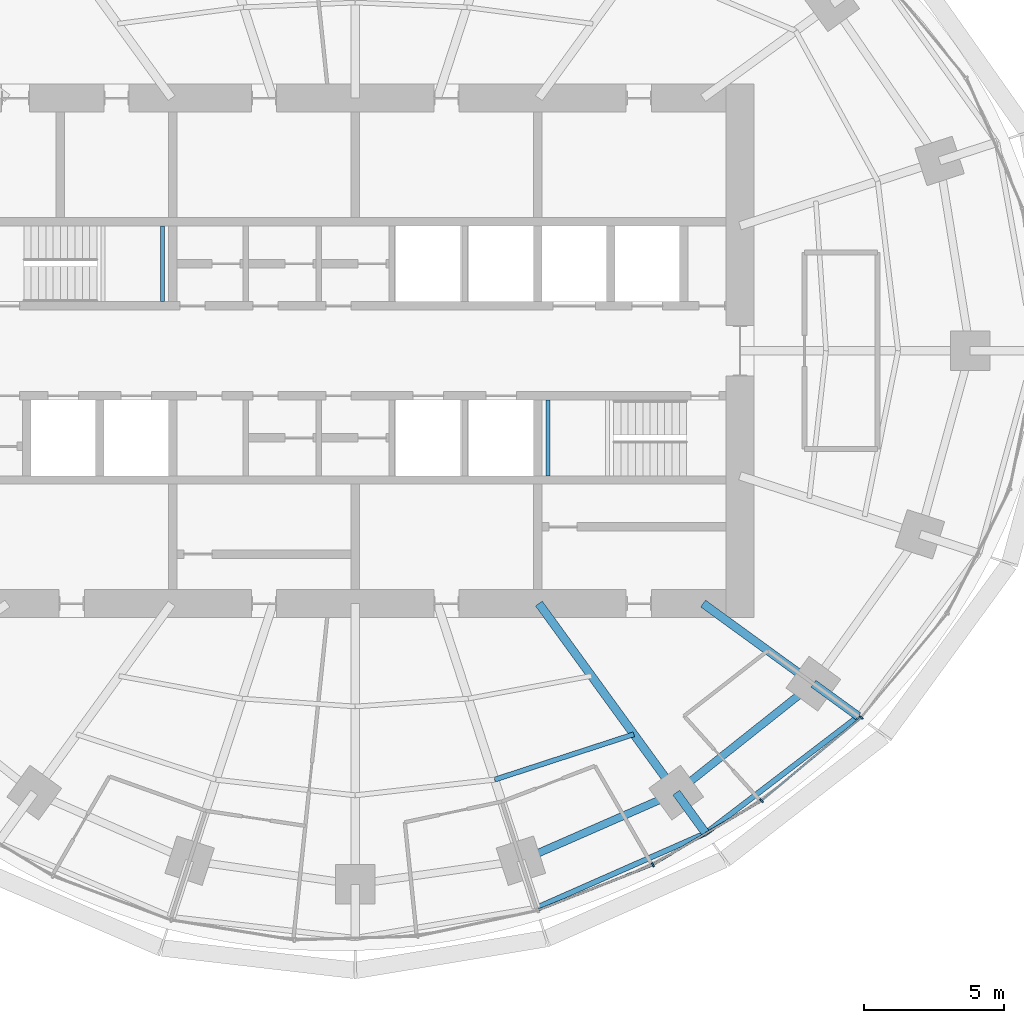
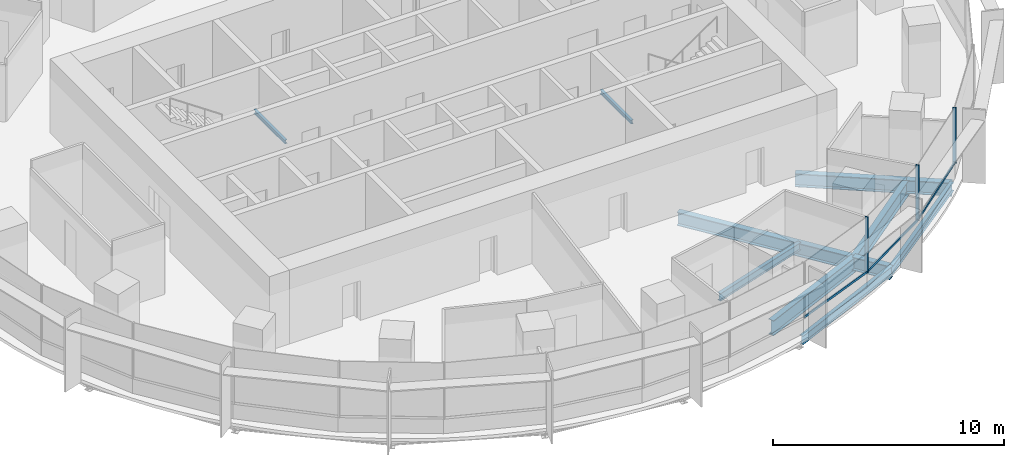
# One storey, part 5 of 15: 11 beams, 6 members, 2 elements without a shape of their own.
"""IFC4 building model written with IfcOpenShell, lengths in metres."""

from ifc_helpers import new_model, si_unit, direction, frame, origin, origin_2d, place, context, subcontext, project, spatial, rectangle, i_section, extrude, material, material_profile, profile_set, type_object, element, aggregate, save


model = new_model("IFC4")

# Units and contexts
model_context = context("Model", 3, precision=1e-05, world=origin(), true_north=direction((0.0, 1.0)))
body_context = subcontext(model_context, "Body", "Model", "MODEL_VIEW")
ifc_project = project(units=[si_unit("LENGTHUNIT", "METRE"), si_unit("AREAUNIT", "SQUARE_METRE"), si_unit("VOLUMEUNIT", "CUBIC_METRE"), si_unit("PLANEANGLEUNIT", "RADIAN"), si_unit("MASSUNIT", "GRAM", prefix="KILO")], contexts=[model_context])

# Site, building, storey
site_placement = place(None, origin())
site = spatial("IfcSite", under=ifc_project, at=site_placement, CompositionType="ELEMENT")
building_placement = place(site_placement, origin())
building = spatial("IfcBuilding", under=site, at=building_placement, Name="Marramba Exchange Tower", CompositionType="ELEMENT")
storey_placement = place(building_placement, frame((0.0, 0.0, 187.699951171875)))
storey = spatial("IfcBuildingStorey", under=building, at=storey_placement, Name="L45", CompositionType="ELEMENT", Elevation=187.699951171875)

# Beams
ifc_material_1 = material(Name="Steel AS/NZS 3679.2 grade 300", Category="steel")
ifc_material_profile_1 = material_profile(ifc_material_1, i_section(OverallWidth=0.300048828125, OverallDepth=0.699951171875, WebThickness=0.010009765625, FlangeThickness=0.031982421875, at=origin_2d()), Name="700WB173")
ifc_profile_set_1 = profile_set([ifc_material_profile_1], Name="Steel AS/NZS 3679.2 grade 300")
beam_type_1 = type_object("IfcBeamType", Name="Cantilever girder 700WB173", PredefinedType="BEAM", material=ifc_profile_set_1)
beam_1_placement = place(storey_placement, frame((11.430419921875, -15.732666015625, -0.510009765625), z_axis=(0.58783009415, -0.808984412959, 0.0), x_axis=(0.808984412959, 0.58783009415, 0.0)))
element("IfcBeam", 1, at=beam_1_placement, inside=storey, type_object=beam_type_1, Name="Cantilever girder L45 TC18", PredefinedType="BEAM", context=body_context, shape_type="SweptSolid", body=[
    extrude(i_section(OverallWidth=0.300048828125, OverallDepth=0.699951171875, WebThickness=0.010009765625, FlangeThickness=0.031982421875, at=origin_2d()), origin(), (0.0, 0.0, 1.0), 1.78515625),
])
beam_2_placement = place(storey_placement, frame((16.3154296875, -11.853759765625, -0.510009765625), z_axis=(0.808970801893, -0.587848825537, 0.0), x_axis=(0.587848825537, 0.808970801893, 0.0)))
element("IfcBeam", 2, at=beam_2_placement, inside=storey, type_object=beam_type_1, Name="Cantilever girder L45 TC19", PredefinedType="BEAM", context=body_context, shape_type="SweptSolid", body=[
    extrude(i_section(OverallWidth=0.300048828125, OverallDepth=0.699951171875, WebThickness=0.010009765625, FlangeThickness=0.031982421875, at=origin_2d()), origin(), (0.0, 0.0, 1.0), 1.978515625),
])
ifc_material_2 = material(Name="Steel AS/NZS 3679.1 grade 300", Category="steel")
ifc_material_profile_2 = material_profile(ifc_material_2, i_section(OverallWidth=0.177978515625, OverallDepth=0.406005859375, WebThickness=0.0078125, FlangeThickness=0.0126953125, FilletRadius=0.011474609375, at=origin_2d()), Name="410UB59.7")
ifc_profile_set_2 = profile_set([ifc_material_profile_2], Name="Steel AS/NZS 3679.1 grade 300")
beam_type_2 = type_object("IfcBeamType", Name="Floor joist 410UB59.7", PredefinedType="JOIST", material=ifc_profile_set_2)
beam_3_placement = place(storey_placement, frame((4.9619140625, -15.271484375, -0.363037109375), z_axis=(0.950764024931, 0.309915744834, 0.0), x_axis=(-0.309915744834, 0.950764024931, 0.0)))
element("IfcBeam", 3, at=beam_3_placement, inside=storey, type_object=beam_type_2, Name="Joist L45 bay 17 row 2", PredefinedType="JOIST", context=body_context, shape_type="SweptSolid", body=[
    extrude(i_section(OverallWidth=0.177978515625, OverallDepth=0.406005859375, WebThickness=0.0078125, FlangeThickness=0.0126953125, FilletRadius=0.011474609375, at=origin_2d()), origin(), (0.0, 0.0, 1.0), 5.2158203125),
])

# Curtain wall, members
ifc_material_3 = material(Name="Aluminium framing, bronze anodised", Category="aluminium")
curtain_wall_type = type_object("IfcCurtainWallType", Name="Office ribbon curtain wall", PredefinedType="USERDEFINED", material=ifc_material_3)
curtain_wall_1_placement = place(storey_placement, origin())
curtain_wall_1 = element("IfcCurtainWall", 4, at=curtain_wall_1_placement, inside=storey, type_object=curtain_wall_type, Name="Curtain wall CW4 L45 F26-F30", ObjectType="RIBBON CURTAIN WALL", PredefinedType="USERDEFINED")
ifc_material_4 = material(Name="Aluminium mullion, bronze anodised", Category="aluminium")
ifc_material_profile_3 = material_profile(ifc_material_4, rectangle(XDim=0.159912109375, YDim=0.06005859375, at=origin_2d()), Name="CW4 mullion 60x160")
ifc_profile_set_3 = profile_set([ifc_material_profile_3], Name="Aluminium mullion, bronze anodised")
member_type_1 = type_object("IfcMemberType", Name="Office ribbon curtain wall mullion", PredefinedType="MULLION", material=ifc_profile_set_3)
member_1_placement = place(storey_placement, frame((10.60009765625, -18.2998046875, 0.800048828125), z_axis=(0.0, 0.0, 1.0), x_axis=(-0.508010571686, 0.861350833897, 0.0)))
member_1 = element("IfcMember", 5, at=member_1_placement, type_object=member_type_1, Name="CW4 mullion 1", PredefinedType="MULLION", context=body_context, shape_type="SweptSolid", body=[
    extrude(rectangle(XDim=0.159912109375, YDim=0.06005859375, at=origin_2d()), origin(), (0.0, 0.0, 1.0), 2.93994140625),
])
member_2_placement = place(storey_placement, frame((14.461669921875, -16.0166015625, 0.800048828125), z_axis=(0.0, 0.0, 1.0), x_axis=(-0.639565270127, 0.768736798421, 0.0)))
member_2 = element("IfcMember", 6, at=member_2_placement, type_object=member_type_1, Name="CW4 mullion 1", PredefinedType="MULLION", context=body_context, shape_type="SweptSolid", body=[
    extrude(rectangle(XDim=0.159912109375, YDim=0.06005859375, at=origin_2d()), origin(), (0.0, 0.0, 1.0), 2.93994140625),
])
member_3_placement = place(storey_placement, frame((18.01611328125, -13.052490234375, 0.800048828125), z_axis=(0.0, 0.0, 1.0), x_axis=(-0.769912069289, 0.63814998673, 0.0)))
member_3 = element("IfcMember", 7, at=member_3_placement, type_object=member_type_1, Name="CW4 mullion 1", PredefinedType="MULLION", context=body_context, shape_type="SweptSolid", body=[
    extrude(rectangle(XDim=0.159912109375, YDim=0.06005859375, at=origin_2d()), origin(), (0.0, 0.0, 1.0), 2.93994140625),
])

# Curtain wall, member
curtain_wall_2_placement = place(storey_placement, origin())
curtain_wall_2 = element("IfcCurtainWall", 8, at=curtain_wall_2_placement, inside=storey, type_object=curtain_wall_type, Name="Curtain wall CW4 L45 F21-F25", ObjectType="RIBBON CURTAIN WALL", PredefinedType="USERDEFINED")
ifc_material_5 = material(Name="Aluminium transom, bronze anodised", Category="aluminium")
ifc_material_profile_4 = material_profile(ifc_material_5, rectangle(XDim=0.06005859375, YDim=0.1201171875, at=origin_2d()), Name="CW4 transom 60x120")
ifc_profile_set_4 = profile_set([ifc_material_profile_4], Name="Aluminium transom, bronze anodised")
member_type_2 = type_object("IfcMemberType", Name="Office ribbon curtain wall transom", PredefinedType="USERDEFINED", material=ifc_profile_set_4)
member_4_placement = place(storey_placement, frame((6.53271484375, -19.911376953125, 0.830078125), z_axis=(0.930068344217, 0.367386547229, 0.0), x_axis=(-0.367386547229, 0.930068344217, 0.0)))
member_4 = element("IfcMember", 9, at=member_4_placement, type_object=member_type_2, Name="CW4 sill transom", ObjectType="TRANSOM", PredefinedType="USERDEFINED", context=body_context, shape_type="SweptSolid", body=[
    extrude(rectangle(XDim=0.06005859375, YDim=0.1201171875, at=origin_2d()), origin(), (0.0, 0.0, 1.0), 4.345458984375),
])
aggregate(curtain_wall_2, [member_4])

# Member
member_5_placement = place(storey_placement, frame((10.6259765625, -18.28466796875, 0.830078125), z_axis=(0.861342387959, 0.508024891816, 0.0), x_axis=(-0.508024891816, 0.861342387959, 0.0)))
member_5 = element("IfcMember", 10, at=member_5_placement, type_object=member_type_2, Name="CW4 sill transom", ObjectType="TRANSOM", PredefinedType="USERDEFINED", context=body_context, shape_type="SweptSolid", body=[
    extrude(rectangle(XDim=0.06005859375, YDim=0.1201171875, at=origin_2d()), origin(), (0.0, 0.0, 1.0), 4.426513671875),
])

member_6_placement = place(storey_placement, frame((14.48486328125, -15.99755859375, 0.830078125), z_axis=(0.768707257272, 0.639600775967, 0.0), x_axis=(-0.639600775967, 0.768707257272, 0.0)))
member_6 = element("IfcMember", 11, at=member_6_placement, type_object=member_type_2, Name="CW4 sill transom", ObjectType="TRANSOM", PredefinedType="USERDEFINED", context=body_context, shape_type="SweptSolid", body=[
    extrude(rectangle(XDim=0.06005859375, YDim=0.1201171875, at=origin_2d()), origin(), (0.0, 0.0, 1.0), 4.568603515625),
])

aggregate(curtain_wall_1, [member_1, member_5, member_2, member_6, member_3])

# Beams
ifc_material_profile_5 = material_profile(ifc_material_1, i_section(OverallWidth=0.300048828125, OverallDepth=0.699951171875, WebThickness=0.010009765625, FlangeThickness=0.031982421875, at=origin_2d()), Name="700WB173")
ifc_profile_set_5 = profile_set([ifc_material_profile_5], Name="Steel AS/NZS 3679.2 grade 300")
beam_type_3 = type_object("IfcBeamType", Name="Radial girder 700WB173", PredefinedType="BEAM", material=ifc_profile_set_5)
beam_4_placement = place(storey_placement, frame((6.538818359375, -9.0, -0.510009765625), z_axis=(0.587787877172, -0.809015087282, 0.0), x_axis=(0.809015087282, 0.587787877172, 0.0)))
element("IfcBeam", 12, at=beam_4_placement, inside=storey, type_object=beam_type_3, Name="Radial girder L45 TC18", PredefinedType="BEAM", context=body_context, shape_type="SweptSolid", body=[
    extrude(i_section(OverallWidth=0.300048828125, OverallDepth=0.699951171875, WebThickness=0.010009765625, FlangeThickness=0.031982421875, at=origin_2d()), origin(), (0.0, 0.0, 1.0), 8.322021484375),
])
beam_5_placement = place(storey_placement, frame((12.387451171875, -9.0, -0.510009765625), z_axis=(0.809025189606, -0.58777397236, 0.0), x_axis=(0.58777397236, 0.809025189606, 0.0)))
element("IfcBeam", 13, at=beam_5_placement, inside=storey, type_object=beam_type_3, Name="Radial girder L45 TC19", PredefinedType="BEAM", context=body_context, shape_type="SweptSolid", body=[
    extrude(i_section(OverallWidth=0.300048828125, OverallDepth=0.699951171875, WebThickness=0.010009765625, FlangeThickness=0.031982421875, at=origin_2d()), origin(), (0.0, 0.0, 1.0), 4.855224609375),
])
ifc_material_profile_6 = material_profile(ifc_material_1, i_section(OverallWidth=0.27490234375, OverallDepth=0.800048828125, WebThickness=0.010009765625, FlangeThickness=0.02490234375, at=origin_2d()), Name="800WB168")
ifc_profile_set_6 = profile_set([ifc_material_profile_6], Name="Steel AS/NZS 3679.2 grade 300")
beam_type_4 = type_object("IfcBeamType", Name="Ring beam 800WB168", PredefinedType="SPANDREL", material=ifc_profile_set_6)
beam_6_placement = place(storey_placement, frame((5.899658203125, -18.156982421875, -0.56005859375), z_axis=(0.915876892158, 0.4014592363, 0.0), x_axis=(-0.4014592363, 0.915876892158, 0.0)))
element("IfcBeam", 14, at=beam_6_placement, inside=storey, type_object=beam_type_4, Name="Ring beam L45 TC17-TC18", PredefinedType="SPANDREL", context=body_context, shape_type="SweptSolid", body=[
    extrude(i_section(OverallWidth=0.27490234375, OverallDepth=0.800048828125, WebThickness=0.010009765625, FlangeThickness=0.02490234375, at=origin_2d()), origin(), (0.0, 0.0, 1.0), 6.038818359375),
])
beam_7_placement = place(storey_placement, frame((11.430419921875, -15.732666015625, -0.56005859375), z_axis=(0.783139438128, 0.621846138887, 0.0), x_axis=(-0.621846138887, 0.783139438128, 0.0)))
element("IfcBeam", 15, at=beam_7_placement, inside=storey, type_object=beam_type_4, Name="Ring beam L45 TC18-TC19", PredefinedType="SPANDREL", context=body_context, shape_type="SweptSolid", body=[
    extrude(i_section(OverallWidth=0.27490234375, OverallDepth=0.800048828125, WebThickness=0.010009765625, FlangeThickness=0.02490234375, at=origin_2d()), origin(), (0.0, 0.0, 1.0), 6.23779296875),
])
ifc_material_profile_7 = material_profile(ifc_material_2, i_section(OverallWidth=0.19091796875, OverallDepth=0.4599609375, WebThickness=0.010009765625, FlangeThickness=0.01611328125, FilletRadius=0.011474609375, at=origin_2d()), Name="460UB82.1")
ifc_profile_set_7 = profile_set([ifc_material_profile_7], Name="Steel AS/NZS 3679.1 grade 300")
beam_type_5 = type_object("IfcBeamType", Name="Slab edge beam 460UB82.1", PredefinedType="SPANDREL", material=ifc_profile_set_7)
beam_8_placement = place(storey_placement, frame((6.44580078125, -19.83837890625, -0.389892578125), z_axis=(0.914940719579, 0.403588255102, 0.0), x_axis=(-0.403588255102, 0.914940719579, 0.0)))
element("IfcBeam", 16, at=beam_8_placement, inside=storey, type_object=beam_type_5, Name="Slab edge beam L45 TC17-TC18", PredefinedType="SPANDREL", context=body_context, shape_type="SweptSolid", body=[
    extrude(i_section(OverallWidth=0.19091796875, OverallDepth=0.4599609375, WebThickness=0.010009765625, FlangeThickness=0.01611328125, FilletRadius=0.011474609375, at=origin_2d()), origin(), (0.0, 0.0, 1.0), 6.594970703125),
])
beam_9_placement = place(storey_placement, frame((12.479736328125, -17.1767578125, -0.389892578125), z_axis=(0.794163423189, 0.607704251481, 0.0), x_axis=(-0.607704251481, 0.794163423189, 0.0)))
element("IfcBeam", 17, at=beam_9_placement, inside=storey, type_object=beam_type_5, Name="Slab edge beam L45 TC18-TC19", PredefinedType="SPANDREL", context=body_context, shape_type="SweptSolid", body=[
    extrude(i_section(OverallWidth=0.19091796875, OverallDepth=0.4599609375, WebThickness=0.010009765625, FlangeThickness=0.01611328125, FilletRadius=0.011474609375, at=origin_2d()), origin(), (0.0, 0.0, 1.0), 6.84521484375),
])
ifc_material_profile_8 = material_profile(ifc_material_2, i_section(OverallWidth=0.133056640625, OverallDepth=0.202880859375, WebThickness=0.005859375, FlangeThickness=0.0078125, FilletRadius=0.0087890625, at=origin_2d()), Name="200UB25.4")
ifc_profile_set_8 = profile_set([ifc_material_profile_8], Name="Steel AS/NZS 3679.1 grade 300")
beam_type_6 = type_object("IfcBeamType", Name="Stair landing beam 200UB25.4", PredefinedType="BEAM", material=ifc_profile_set_8)
for number, where, z_axis, x_axis, name in (
    (18, (-6.866455078125, 1.75, 1.6484375), (0.0, 1.0, 0.0), (-1.0, 0.0, 0.0), "Stair landing beam SLB1 ST1 L45 2"),
    (19, (6.866455078125, -4.449951171875, 1.6484375), (0.0, 1.0, 0.0), (-1.0, 0.0, 0.0), "Stair landing beam SLB1 ST2 L45 1"),
):
    element("IfcBeam", number, at=place(storey_placement, frame(where, z_axis=z_axis, x_axis=x_axis)), inside=storey, type_object=beam_type_6, Name=name, PredefinedType="BEAM", context=body_context, shape_type="SweptSolid", body=[
        extrude(i_section(OverallWidth=0.133056640625, OverallDepth=0.202880859375, WebThickness=0.005859375, FlangeThickness=0.0078125, FilletRadius=0.0087890625, at=origin_2d()), origin(), (0.0, 0.0, 1.0), 2.699951171875),
    ])

save(model, "model.ifc")
